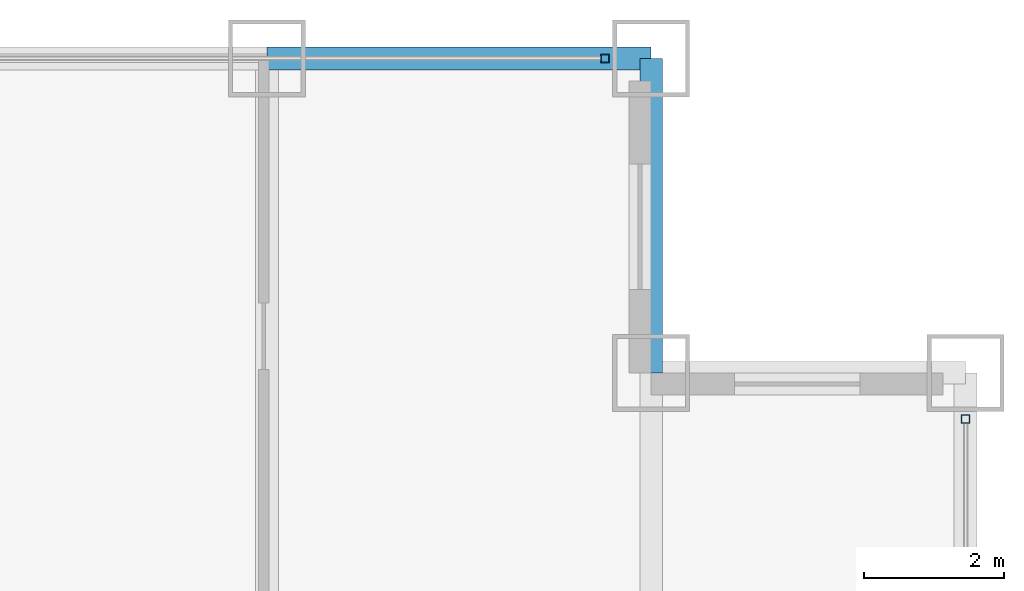
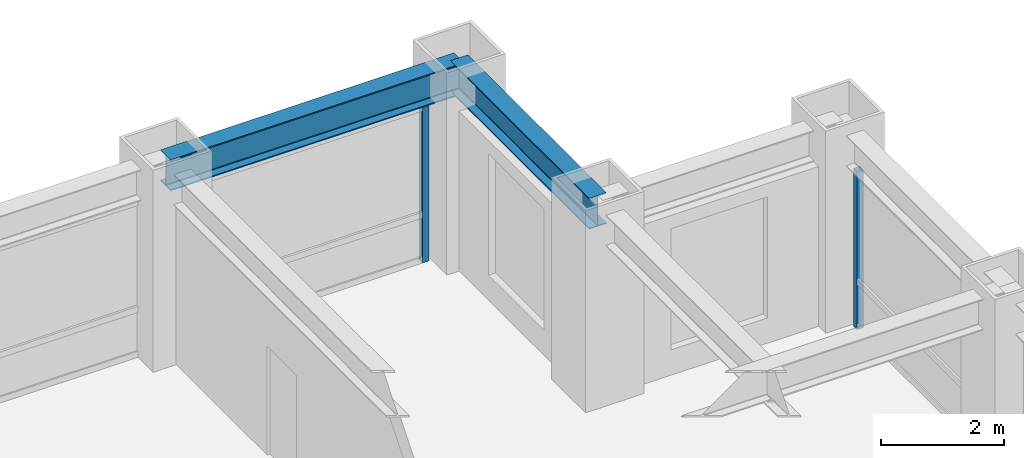
# One storey, part 18 of 24: 2 beams, 2 members, 2 elements without a shape of their own.
"""IFC4 building model written with IfcOpenShell, lengths in metres."""

from ifc_helpers import new_model, si_unit, direction, frame, origin, origin_2d, place, context, subcontext, project, spatial, hollow_rectangle, i_section, extrude, source, transform, mapped, material, material_profile, profile_set, type_object, element, aggregate, save


model = new_model("IFC4")

# Units and contexts
model_context = context("Model", 3, precision=1e-05, world=origin(), true_north=direction((0.0, 1.0)))
body_context = subcontext(model_context, "Body", "Model", "MODEL_VIEW")
ifc_project = project(units=[si_unit("LENGTHUNIT", "METRE"), si_unit("AREAUNIT", "SQUARE_METRE"), si_unit("VOLUMEUNIT", "CUBIC_METRE"), si_unit("PLANEANGLEUNIT", "RADIAN"), si_unit("MASSUNIT", "GRAM", prefix="KILO")], contexts=[model_context])

# Site, building, storey
site_placement = place(None, origin())
site = spatial("IfcSite", under=ifc_project, at=site_placement, CompositionType="ELEMENT")
building_placement = place(site_placement, origin())
building = spatial("IfcBuilding", under=site, at=building_placement, Name="Khorayat Bourse Tower", CompositionType="ELEMENT")
storey_placement = place(building_placement, frame((0.0, 0.0, 159.10009765625)))
storey = spatial("IfcBuildingStorey", under=building, at=storey_placement, Name="L36", CompositionType="ELEMENT", Elevation=159.10009765625)

# Beams
ifc_material_1 = material(Name="Steel ASTM A992 Grade 50", Category="steel")
ifc_material_profile_1 = material_profile(ifc_material_1, i_section(OverallWidth=0.324951171875, OverallDepth=0.615966796875, WebThickness=0.013916015625, FlangeThickness=0.021484375, FilletRadius=0.01611328125, at=origin_2d()), Name="W610X174")
ifc_profile_set_1 = profile_set([ifc_material_profile_1], Name="Steel ASTM A992 Grade 50")
beam_type = type_object("IfcBeamType", Name="BM-SPAN-610", PredefinedType="SPANDREL", material=ifc_profile_set_1)
shared_shape_1 = source(origin(), body_context, "Body", "SweptSolid", [
    extrude(i_section(OverallWidth=0.324951171875, OverallDepth=0.615966796875, WebThickness=0.013916015625, FlangeThickness=0.021484375, FilletRadius=0.01611328125, at=origin_2d()), origin(), (0.0, 0.0, 1.0), 5.5),
])
beam_1_placement = place(storey_placement, frame((20.0, 30.0, 3.471923828125), z_axis=(1.0, 0.0, 0.0), x_axis=(0.0, 1.0, 0.0)))
element("IfcBeam", 1, at=beam_1_placement, inside=storey, type_object=beam_type, Name="L36 BM-SPAN-610 BM-L36-SPN-044", PredefinedType="SPANDREL", context=body_context, shape_type="MappedRepresentation", body=[
    mapped(shared_shape_1, transform((0.0, 0.0, 0.0), scale=1.0)),
])
shared_shape_2 = source(origin(), body_context, "Body", "SweptSolid", [
    extrude(i_section(OverallWidth=0.324951171875, OverallDepth=0.615966796875, WebThickness=0.013916015625, FlangeThickness=0.021484375, FilletRadius=0.01611328125, at=origin_2d()), origin(), (0.0, 0.0, 1.0), 4.5),
])
beam_2_placement = place(storey_placement, frame((25.5, 25.5, 3.471923828125), z_axis=(0.0, 1.0, 0.0), x_axis=(-1.0, 0.0, 0.0)))
element("IfcBeam", 2, at=beam_2_placement, inside=storey, type_object=beam_type, Name="L36 BM-SPAN-610 BM-L36-SPN-043", PredefinedType="SPANDREL", context=body_context, shape_type="MappedRepresentation", body=[
    mapped(shared_shape_2, transform((0.0, 0.0, 0.0), scale=1.0)),
])

# Curtain wall, member
ifc_material_2 = material(Name="Aluminium EN AW-6063 T6", Category="aluminium")
curtain_wall_type = type_object("IfcCurtainWallType", Name="CW-SYS-03", PredefinedType="NOTDEFINED", material=ifc_material_2)
curtain_wall_1_placement = place(storey_placement, origin())
curtain_wall_1 = element("IfcCurtainWall", 3, at=curtain_wall_1_placement, inside=storey, type_object=curtain_wall_type, Name="L36 Curtain Wall CW-L36-N1", PredefinedType="NOTDEFINED")
ifc_material_profile_2 = material_profile(ifc_material_2, hollow_rectangle(XDim=0.1201171875, YDim=0.1201171875, WallThickness=0.0048828125, at=origin_2d()), Name="ALU 120x120x5")
ifc_profile_set_2 = profile_set([ifc_material_profile_2], Name="Aluminium EN AW-6063 T6")
member_type = type_object("IfcMemberType", Name="CWM-VERT-120", PredefinedType="MULLION", material=ifc_profile_set_2)
shared_shape_3 = source(origin(), body_context, "Body", "SweptSolid", [
    extrude(hollow_rectangle(XDim=0.1201171875, YDim=0.1201171875, WallThickness=0.0048828125, at=origin_2d()), origin(), (0.0, 0.0, 1.0), 3.1298828125),
])
member_1_placement = place(storey_placement, frame((24.840087890625, 30.0, 0.0), z_axis=(0.0, 0.0, 1.0), x_axis=(0.0, 1.0, 0.0)))
member_1 = element("IfcMember", 4, at=member_1_placement, type_object=member_type, Name="CW-L36-N1 Vertical Mullion 3", PredefinedType="MULLION", context=body_context, shape_type="MappedRepresentation", body=[
    mapped(shared_shape_3, transform((0.0, 0.0, 0.0), scale=1.0)),
])
aggregate(curtain_wall_1, [member_1])

curtain_wall_2_placement = place(storey_placement, origin())
curtain_wall_2 = element("IfcCurtainWall", 5, at=curtain_wall_2_placement, inside=storey, type_object=curtain_wall_type, Name="L36 Curtain Wall CW-L36-E1", PredefinedType="NOTDEFINED")
member_2_placement = place(storey_placement, frame((30.0, 24.840087890625, 0.0), z_axis=(0.0, 0.0, 1.0), x_axis=(-1.0, 0.0, 0.0)))
member_2 = element("IfcMember", 6, at=member_2_placement, type_object=member_type, Name="CW-L36-E1 Vertical Mullion 3", PredefinedType="MULLION", context=body_context, shape_type="MappedRepresentation", body=[
    mapped(shared_shape_3, transform((0.0, 0.0, 0.0), scale=1.0)),
])
aggregate(curtain_wall_2, [member_2])

save(model, "model.ifc")
